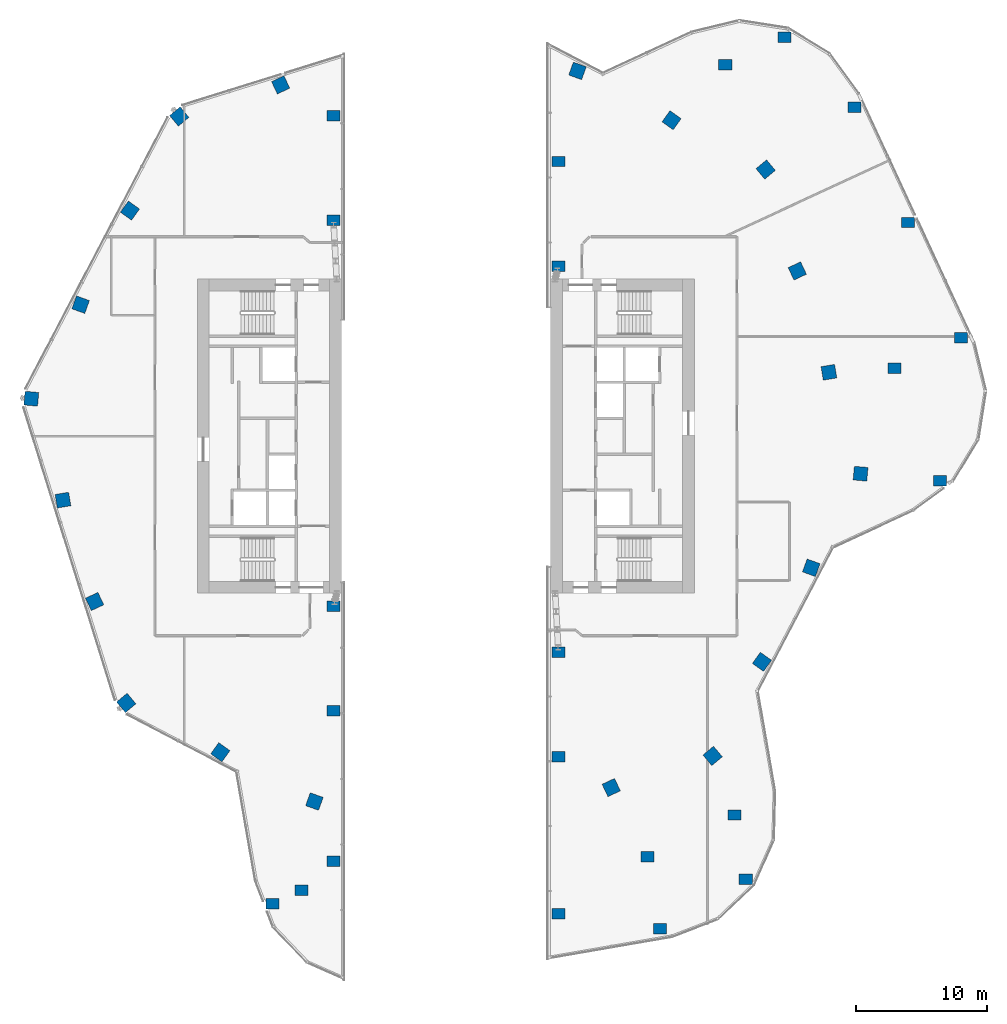
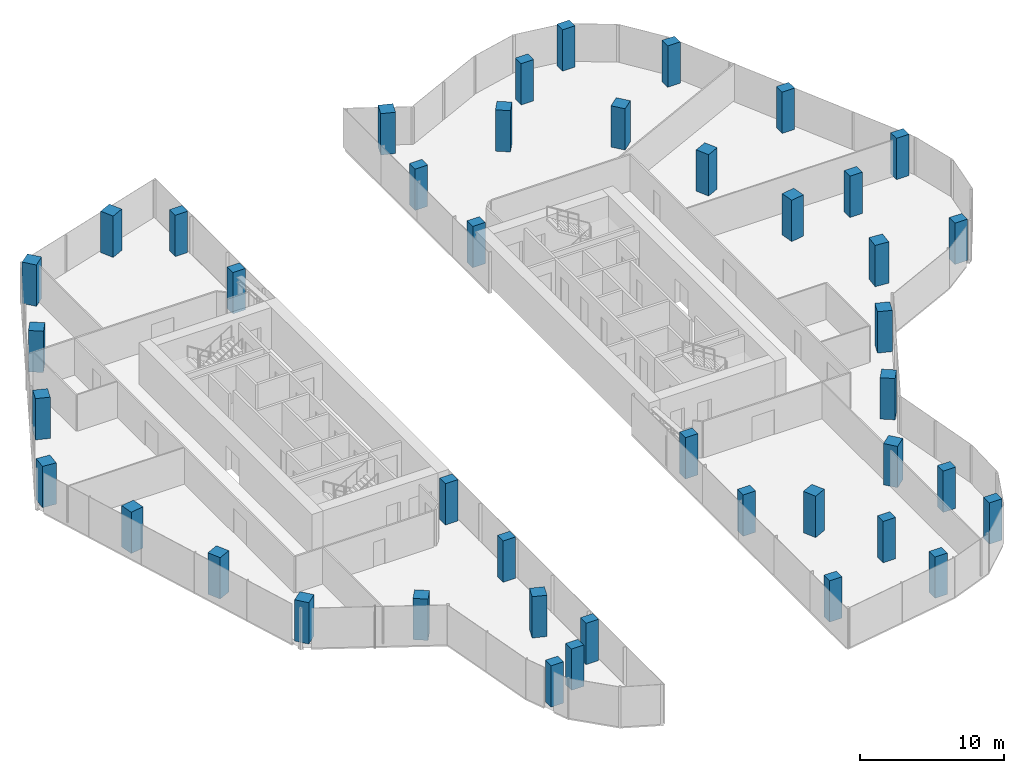
# One storey, part 1 of 23: 43 columns.
"""IFC4 building model written with IfcOpenShell, lengths in metres."""

from ifc_helpers import new_model, si_unit, direction, frame, origin, origin_2d, place, context, subcontext, project, spatial, rectangle, extrude, material, material_profile, profile_set, type_object, element, save


model = new_model("IFC4")

# Units and contexts
model_context = context("Model", 3, precision=1e-05, world=origin(), true_north=direction((0.0, 1.0)))
body_context = subcontext(model_context, "Body", "Model", "MODEL_VIEW")
ifc_project = project(units=[si_unit("LENGTHUNIT", "METRE"), si_unit("AREAUNIT", "SQUARE_METRE"), si_unit("VOLUMEUNIT", "CUBIC_METRE"), si_unit("PLANEANGLEUNIT", "RADIAN"), si_unit("MASSUNIT", "GRAM", prefix="KILO")], contexts=[model_context])

# Site, building, storey
site_placement = place(None, origin())
site = spatial("IfcSite", under=ifc_project, at=site_placement, CompositionType="ELEMENT")
building_placement = place(site_placement, origin())
building = spatial("IfcBuilding", under=site, at=building_placement, Name="Orlundy Tower", CompositionType="ELEMENT")
storey_placement = place(building_placement, frame((0.0, 0.0, 264.0)))
storey = spatial("IfcBuildingStorey", under=building, at=storey_placement, Name="L70", CompositionType="ELEMENT", Elevation=264.0)

# Columns
ifc_material_1 = material(Name="Concrete C60/75", Category="concrete")
ifc_material_profile_1 = material_profile(ifc_material_1, rectangle(XDim=1.0, YDim=0.800048828125, at=origin_2d()), Name="RC1000X800")
ifc_profile_set_1 = profile_set([ifc_material_profile_1], Name="Concrete C60/75")
column_type_1 = type_object("IfcColumnType", Name="RC COLUMN RC1000X800 C60/75", PredefinedType="COLUMN", material=ifc_profile_set_1)
for number, where, z_axis, x_axis, name in (
    (1, (37.758056640625, -3.389892578125, 0.0), (0.0, 0.0, 1.0), (1.0, 0.0, 0.0), "Column C-A1-1 L70"),
    (2, (39.376953125, 7.533935546875, 0.0), (0.0, 0.0, 1.0), (1.0, 0.0, 0.0), "Column C-A2-5 L70"),
    (3, (34.294921875, 5.181884765625, 0.0), (0.0, 0.0, 1.0), (1.0, 0.0, 0.0), "Column C-A2-6 L70"),
    (4, (35.302978515625, 16.3369140625, 0.0), (0.0, 0.0, 1.0), (1.0, 0.0, 0.0), "Column C-A3-5 L70"),
    (5, (31.22900390625, 25.139892578125, 0.0), (0.0, 0.0, 1.0), (1.0, 0.0, 0.0), "Column C-A4-5 L70"),
    (6, (25.885009765625, 30.48291015625, 0.0), (0.0, 0.0, 1.0), (1.0, 0.0, 0.0), "Column C-A5-5 L70"),
    (7, (21.346923828125, 28.383056640625, 0.0), (0.0, 0.0, 1.0), (1.0, 0.0, 0.0), "Column C-A5-6 L70"),
    (8, (-13.27392578125, -35.742919921875, 0.0), (0.0, 0.0, 1.0), (1.0, 0.0, 0.0), "Column C-B1-1 L70"),
    (9, (-11.031005859375, -34.68701171875, 0.0), (0.0, 0.0, 1.0), (1.0, 0.0, 0.0), "Column C-B1-6 L70"),
    (10, (16.3720703125, -37.656982421875, 0.0), (0.0, 0.0, 1.0), (1.0, 0.0, 0.0), "Column C-B4-5 L70"),
    (11, (15.4150390625, -32.138916015625, 0.0), (0.0, 0.0, 1.0), (1.0, 0.0, 0.0), "Column C-B4-6 L70"),
    (12, (22.916015625, -33.876953125, 0.0), (0.0, 0.0, 1.0), (1.0, 0.0, 0.0), "Column C-B5-5 L70"),
    (13, (22.06201171875, -28.950927734375, 0.0), (0.0, 0.0, 1.0), (1.0, 0.0, 0.0), "Column C-B5-6 L70"),
    (14, (8.60009765625, -36.5, 0.0), (0.0, 0.0, 1.0), (1.0, 0.0, 0.0), "Column C-SE1 L70"),
    (15, (8.60009765625, -24.5, 0.0), (0.0, 0.0, 1.0), (1.0, 0.0, 0.0), "Column C-SE2 L70"),
    (16, (8.60009765625, -16.5, 0.0), (0.0, 0.0, 1.0), (1.0, 0.0, 0.0), "Column C-SE3 L70"),
    (17, (8.60009765625, 13.0, 0.0), (0.0, 0.0, 1.0), (1.0, 0.0, 0.0), "Column C-SE4 L70"),
    (18, (8.60009765625, 21.0, 0.0), (0.0, 0.0, 1.0), (1.0, 0.0, 0.0), "Column C-SE5 L70"),
    (19, (-8.60009765625, 24.5, 0.0), (0.0, 0.0, 1.0), (1.0, 0.0, 0.0), "Column C-SW1 L70"),
    (20, (-8.60009765625, 16.5, 0.0), (0.0, 0.0, 1.0), (1.0, 0.0, 0.0), "Column C-SW2 L70"),
    (21, (-8.60009765625, -13.0, 0.0), (0.0, 0.0, 1.0), (1.0, 0.0, 0.0), "Column C-SW3 L70"),
    (22, (-8.60009765625, -21.0, 0.0), (0.0, 0.0, 1.0), (1.0, 0.0, 0.0), "Column C-SW4 L70"),
    (23, (-8.60009765625, -32.5, 0.0), (0.0, 0.0, 1.0), (1.0, 0.0, 0.0), "Column C-SW5 L70"),
):
    element("IfcColumn", number, at=place(storey_placement, frame(where, z_axis=z_axis, x_axis=x_axis)), inside=storey, type_object=column_type_1, Name=name, PredefinedType="COLUMN", context=body_context, shape_type="SweptSolid", body=[
        extrude(rectangle(XDim=1.0, YDim=0.800048828125, at=origin_2d()), origin(), (0.0, 0.0, 1.0), 3.5),
    ])
ifc_material_2 = material(Name="Concrete C60/75", Category="concrete")
ifc_material_profile_2 = material_profile(ifc_material_2, rectangle(XDim=1.050048828125, YDim=1.050048828125, at=origin_2d()), Name="RC1050X1050")
ifc_profile_set_2 = profile_set([ifc_material_profile_2], Name="Concrete C60/75")
column_type_2 = type_object("IfcColumnType", Name="RC COLUMN RC1050X1050 C60/75", PredefinedType="COLUMN", material=ifc_profile_set_2)
for number, where, z_axis, x_axis, name in (
    (24, (10.055908203125, 27.923095703125, 0.0), (0.0, 0.0, 1.0), (0.338836447191, 0.940845291243, 0.0), "Column C-H02 L70"),
    (25, (17.24609375, 24.154052734375, 0.0), (0.0, 0.0, 1.0), (0.581086534119, 0.813841778152, 0.0), "Column C-H03 L70"),
    (26, (24.43701171875, 20.384033203125, 0.0), (0.0, 0.0, 1.0), (0.767914719463, 0.640552092833, 0.0), "Column C-H04 L70"),
    (27, (26.85498046875, 12.634033203125, 0.0), (0.0, 0.0, 1.0), (0.904864205273, 0.425700328888, 0.0), "Column C-H05 L70"),
    (28, (29.27392578125, 4.884033203125, 0.0), (0.0, 0.0, 1.0), (0.986366141238, 0.1645655961, 0.0), "Column C-H06 L70"),
    (29, (31.693115234375, -2.865966796875, 0.0), (0.0, 0.0, 1.0), (0.99593643405, -0.09005897696, 0.0), "Column C-H07 L70"),
    (30, (27.923095703125, -10.055908203125, 0.0), (0.0, 0.0, 1.0), (0.940845291243, -0.338836447191, 0.0), "Column C-H08 L70"),
    (31, (24.154052734375, -17.24609375, 0.0), (0.0, 0.0, 1.0), (0.813841778152, -0.581086534119, 0.0), "Column C-H09 L70"),
    (32, (20.384033203125, -24.43701171875, 0.0), (0.0, 0.0, 1.0), (0.640552092833, -0.767914719463, 0.0), "Column C-H10 L70"),
    (33, (12.634033203125, -26.85498046875, 0.0), (0.0, 0.0, 1.0), (0.425700328888, -0.904864205273, 0.0), "Column C-H11 L70"),
    (34, (-10.055908203125, -27.923095703125, 0.0), (0.0, 0.0, 1.0), (-0.338836447191, -0.940845291243, 0.0), "Column C-H14 L70"),
    (35, (-17.24609375, -24.154052734375, 0.0), (0.0, 0.0, 1.0), (-0.581086534119, -0.813841778152, 0.0), "Column C-H15 L70"),
    (36, (-24.43701171875, -20.384033203125, 0.0), (0.0, 0.0, 1.0), (-0.767914719463, -0.640552092833, 0.0), "Column C-H16 L70"),
    (37, (-26.85498046875, -12.634033203125, 0.0), (0.0, 0.0, 1.0), (-0.904864205273, -0.425700328888, 0.0), "Column C-H17 L70"),
    (38, (-29.27392578125, -4.884033203125, 0.0), (0.0, 0.0, 1.0), (-0.986366141238, -0.1645655961, 0.0), "Column C-H18 L70"),
    (39, (-31.693115234375, 2.865966796875, 0.0), (0.0, 0.0, 1.0), (-0.99593643405, 0.09005897696, 0.0), "Column C-H19 L70"),
    (40, (-27.923095703125, 10.055908203125, 0.0), (0.0, 0.0, 1.0), (-0.940845291243, 0.338836447191, 0.0), "Column C-H20 L70"),
    (41, (-24.154052734375, 17.24609375, 0.0), (0.0, 0.0, 1.0), (-0.813841778152, 0.581086534119, 0.0), "Column C-H21 L70"),
    (42, (-20.384033203125, 24.43701171875, 0.0), (0.0, 0.0, 1.0), (-0.640552092833, 0.767914719463, 0.0), "Column C-H22 L70"),
    (43, (-12.634033203125, 26.85498046875, 0.0), (0.0, 0.0, 1.0), (-0.425700328888, 0.904864205273, 0.0), "Column C-H23 L70"),
):
    element("IfcColumn", number, at=place(storey_placement, frame(where, z_axis=z_axis, x_axis=x_axis)), inside=storey, type_object=column_type_2, Name=name, PredefinedType="COLUMN", context=body_context, shape_type="SweptSolid", body=[
        extrude(rectangle(XDim=1.050048828125, YDim=1.050048828125, at=origin_2d()), origin(), (0.0, 0.0, 1.0), 3.5),
    ])

save(model, "model.ifc")
